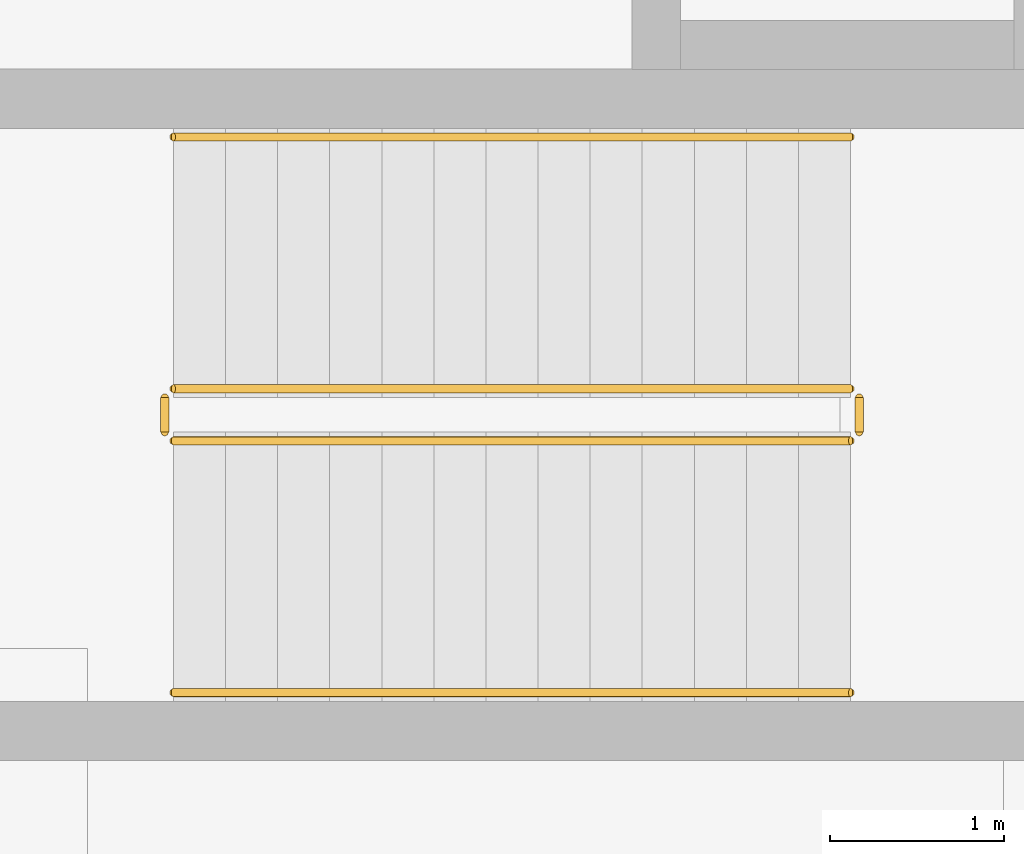
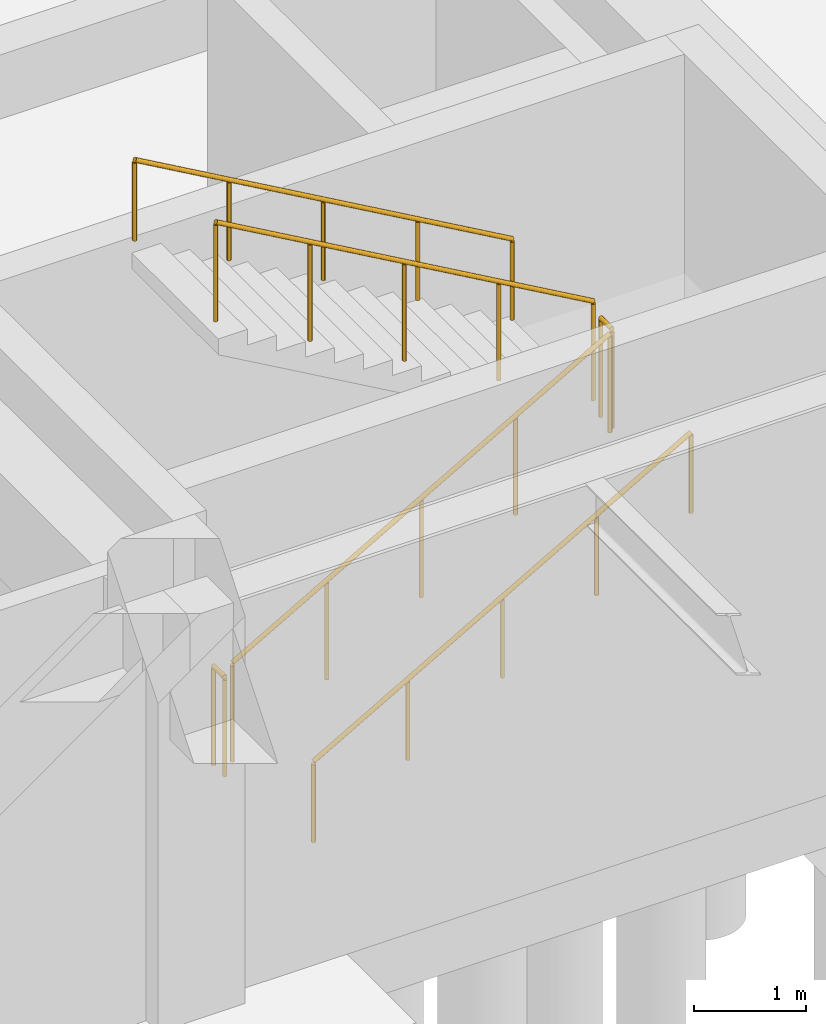
# One storey, part 40 of 44: 6 railings.
"""IFC4 building model written with IfcOpenShell, lengths in metres."""

import ifcopenshell
import ifcopenshell.guid

model = None  # the IFC model being written
_history = None  # IfcOwnerHistory: only IFC2X3 demands one
_inside = {}  # id of a spatial element -> (the spatial element, [elements in it])
_under = {}  # id of a project, library or spatial element -> (it, [spatial elements below it])
_declared = {}  # id of a project -> (the project, [libraries it declares])
_typed = {}  # id of a type object -> (the type object, [elements of that type])
_made_of = {}  # id of a material, layer set ... -> (it, [elements and type objects made of it])


def new_model(schema):
    """Start an empty IFC model of exactly this schema.

    Asked for "IFC4X3", IfcOpenShell would pick the latest addendum, in which some entities
    have other attributes; the version numbers below select the first issue.
    IFC2X3 requires an IfcOwnerHistory on every rooted entity: one is made here for all.
    """
    global model, _history
    if schema == "IFC4X3":
        model = ifcopenshell.file(schema_version=(4, 3, 0, 0))
    else:
        model = ifcopenshell.file(schema=schema)
    _inside.clear()
    _under.clear()
    _declared.clear()
    _typed.clear()
    _made_of.clear()
    _history = None
    if model.schema == "IFC2X3":
        org = make("IfcOrganization", Name="unknown")
        user = make(
            "IfcPersonAndOrganization",
            ThePerson=make("IfcPerson", FamilyName="unknown"),
            TheOrganization=org,
        )
        app = make(
            "IfcApplication",
            ApplicationDeveloper=org,
            Version="unknown",
            ApplicationFullName="unknown",
            ApplicationIdentifier="unknown",
        )
        _history = make(
            "IfcOwnerHistory",
            OwningUser=user,
            OwningApplication=app,
            ChangeAction="ADDED",
            CreationDate=0,
        )
    return model


def make(cls, **values):
    """One entity of the class cls with the attributes given. An attribute that is None is left unset."""
    return model.create_entity(
        cls, **{name: value for name, value in values.items() if value is not None}
    )


def rooted(cls, **values):
    """An entity with a GlobalId (a new one), such as an element, a storey or a relation."""
    return make(cls, GlobalId=ifcopenshell.guid.new(), OwnerHistory=_history, **values)


def si_unit(unit_type, name, prefix=None):
    """IfcSIUnit, for example si_unit("LENGTHUNIT", "METRE", prefix="MILLI")."""
    return make("IfcSIUnit", UnitType=unit_type, Prefix=prefix, Name=name)


def assignment(units):
    """IfcUnitAssignment: the units of a project."""
    return None if units is None else make("IfcUnitAssignment", Units=units)


def point(xyz):
    """IfcCartesianPoint."""
    return None if xyz is None else make("IfcCartesianPoint", Coordinates=xyz)


def direction(xyz):
    """IfcDirection."""
    return None if xyz is None else make("IfcDirection", DirectionRatios=xyz)


def frame(location, z_axis=None, x_axis=None):
    """IfcAxis2Placement3D, a coordinate frame: its origin and axes. An axis left out is left unset."""
    return make(
        "IfcAxis2Placement3D",
        Location=point(location),
        Axis=direction(z_axis),
        RefDirection=direction(x_axis),
    )


def frame_2d(location, x_axis=None):
    """IfcAxis2Placement2D, a coordinate frame in the plane: its origin and x axis."""
    return make(
        "IfcAxis2Placement2D", Location=point(location), RefDirection=direction(x_axis)
    )


def origin():
    """The frame at (0, 0, 0) with its axes left unset."""
    return frame((0.0, 0.0, 0.0))


def origin_2d():
    """The frame at (0, 0) in the plane with its x axis left unset."""
    return frame_2d((0.0, 0.0))


def place(relative_to, where):
    """IfcLocalPlacement: puts the frame where relative to a parent placement (None: the world)."""
    return make(
        "IfcLocalPlacement", PlacementRelTo=relative_to, RelativePlacement=where
    )


def context(
    kind, dimensions, precision=None, world=None, true_north=None, identifier=None
):
    """IfcGeometricRepresentationContext, for example the 3D "Model" context."""
    return make(
        "IfcGeometricRepresentationContext",
        ContextIdentifier=identifier,
        ContextType=kind,
        CoordinateSpaceDimension=dimensions,
        Precision=precision,
        WorldCoordinateSystem=world,
        TrueNorth=true_north,
    )


def subcontext(parent, identifier, kind, view, scale=None):
    """IfcGeometricRepresentationSubContext, for example "Body" below "Model"."""
    return make(
        "IfcGeometricRepresentationSubContext",
        ContextIdentifier=identifier,
        ContextType=kind,
        ParentContext=parent,
        TargetScale=scale,
        TargetView=view,
    )


def project(units=None, contexts=None):
    """IfcProject with its units and contexts."""
    return rooted(
        "IfcProject",
        Name="project",
        RepresentationContexts=contexts,
        UnitsInContext=assignment(units),
    )


def spatial(cls, under=None, at=None, **own):
    """A site, building, storey or space (cls), placed at a placement, below another one or the project."""
    s = rooted(cls, ObjectPlacement=at, **own)
    if under is not None:
        _under.setdefault(under.id(), (under, []))[1].append(s)
    return s


def profile(cls, at=None, kind="AREA", **sizes):
    """A parametric profile (cls). Its sizes go by their IFC names, for example OverallWidth=200.0."""
    return make(cls, ProfileType=kind, Position=at, **sizes)


def circle(**sizes):
    """IfcCircleProfileDef."""
    return profile("IfcCircleProfileDef", **sizes)


def extrude(swept, where, along, depth):
    """IfcExtrudedAreaSolid: the profile swept, set in the frame where, extruded along a direction by depth."""
    return make(
        "IfcExtrudedAreaSolid",
        SweptArea=swept,
        Position=where,
        ExtrudedDirection=direction(along),
        Depth=depth,
    )


def shape(context_of_items, identifier, shape_type, items):
    """IfcShapeRepresentation: the items that make up one representation, for example the "Body"."""
    return make(
        "IfcShapeRepresentation",
        ContextOfItems=context_of_items,
        RepresentationIdentifier=identifier,
        RepresentationType=shape_type,
        Items=items,
    )


def material(Name=None, Category=None):
    """IfcMaterial."""
    return make("IfcMaterial", Name=Name, Category=Category)


def made_of(thing, what):
    """Note that an element or type object is made of a material, layer set ...; save() writes the relation."""
    if what is not None:
        _made_of.setdefault(what.id(), (what, []))[1].append(thing)
    return thing


def type_object(cls, material=None, **own):
    """A type object (cls), such as IfcWallType, which elements share."""
    return made_of(rooted(cls, **own), material)


def element(
    cls,
    number,
    at=None,
    inside=None,
    cuts=None,
    type_object=None,
    material=None,
    context=None,
    identifier="Body",
    shape_type=None,
    held_by="IfcProductDefinitionShape",
    body=None,
    shapes=None,
    **own,
):
    """One element of the class cls, such as IfcWall. Its Tag is "e" and its number.

    at: its placement. inside: the storey or other place that contains it. cuts: it is an
    opening in that element (IfcRelVoidsElement). A single representation is given by context,
    identifier, shape_type and body (its items); several are given by shapes. held_by: the class
    of the entity that holds the representations. save() writes the other relations.
    """
    e = rooted(cls, Tag="e%d" % number, ObjectPlacement=at, **own)
    if body is not None:
        shapes = [shape(context, identifier, shape_type, body)]
    if shapes is not None:
        e.Representation = make(held_by, Representations=shapes)
    if inside is not None:
        _inside.setdefault(inside.id(), (inside, []))[1].append(e)
    if cuts is not None:
        rooted(
            "IfcRelVoidsElement", RelatingBuildingElement=cuts, RelatedOpeningElement=e
        )
    if type_object is not None:
        _typed.setdefault(type_object.id(), (type_object, []))[1].append(e)
    return made_of(e, material)


def aggregate(whole, parts):
    """IfcRelAggregates: a whole, such as a stair, and the parts it consists of."""
    return rooted("IfcRelAggregates", RelatingObject=whole, RelatedObjects=parts)


def save(model, path):
    """Write the relations noted so far, then the file.

    IfcRelAggregates (storeys below a building ...), IfcRelContainedInSpatialStructure (elements
    in a storey), IfcRelDefinesByType, IfcRelAssociatesMaterial and IfcRelDeclares: one each for
    every whole, place, type object, material and project.
    """
    for whole, parts in _under.values():
        aggregate(whole, parts)
    for where, things in _inside.values():
        rooted(
            "IfcRelContainedInSpatialStructure",
            RelatedElements=things,
            RelatingStructure=where,
        )
    for kind, things in _typed.values():
        rooted("IfcRelDefinesByType", RelatedObjects=things, RelatingType=kind)
    for what, things in _made_of.values():
        rooted("IfcRelAssociatesMaterial", RelatedObjects=things, RelatingMaterial=what)
    for by, libraries in _declared.values():
        rooted("IfcRelDeclares", RelatingContext=by, RelatedDefinitions=libraries)
    model.write(path)


model = new_model("IFC4")

# Units and contexts
model_context = context("Model", 3, precision=1e-05, world=origin(), true_north=direction((0.0, 1.0)))
body_context = subcontext(model_context, "Body", "Model", "MODEL_VIEW")
ifc_project = project(units=[si_unit("LENGTHUNIT", "METRE"), si_unit("AREAUNIT", "SQUARE_METRE"), si_unit("VOLUMEUNIT", "CUBIC_METRE"), si_unit("PLANEANGLEUNIT", "RADIAN"), si_unit("MASSUNIT", "GRAM", prefix="KILO")], contexts=[model_context])

# Site, building, storey
site_placement = place(None, origin())
site = spatial("IfcSite", under=ifc_project, at=site_placement, CompositionType="ELEMENT")
building_placement = place(site_placement, origin())
building = spatial("IfcBuilding", under=site, at=building_placement, Name="Korsvaeld Concert Hall", CompositionType="ELEMENT")
storey_placement = place(building_placement, frame((0.0, 0.0, -4.800048828125)))
storey = spatial("IfcBuildingStorey", under=building, at=storey_placement, Name="B1", CompositionType="ELEMENT", Elevation=-4.800048828125)

# Railings
ifc_material_1 = material(Name="Powder-coated steel and bronze stair guardrail", Category="steel")
railing_type_1 = type_object("IfcRailingType", Name="RL-STAIR-GUARD-120", PredefinedType="GUARDRAIL", material=ifc_material_1)
railing_1_placement = place(storey_placement, frame((111.320068359375, 45.8701171875, 0.17138671875)))
element("IfcRailing", 1, at=railing_1_placement, inside=storey, type_object=railing_type_1, Name="B1 ST-K4 stair guard 1", PredefinedType="GUARDRAIL", context=body_context, shape_type="SweptSolid", body=[
    extrude(circle(Radius=0.02392578125, at=origin_2d()), frame((0.0, 0.0, 1.076171875), z_axis=(0.868219727965, 0.0, 0.496179910892), x_axis=(0.0, 1.0, 0.0)), (0.0, 0.0, 1.0), 4.491943359375),
    extrude(circle(Radius=0.02099609375, at=origin_2d()), origin(), (0.0, 0.0, 1.0), 1.052001953125),
    extrude(circle(Radius=0.02099609375, at=origin_2d()), frame((0.97509765625, 0.0, 0.55712890625)), (0.0, 0.0, 1.0), 1.052001953125),
    extrude(circle(Radius=0.02099609375, at=origin_2d()), frame((1.949951171875, 0.0, 1.1142578125)), (0.0, 0.0, 1.0), 1.052001953125),
    extrude(circle(Radius=0.02099609375, at=origin_2d()), frame((2.9248046875, 0.0, 1.671630859375)), (0.0, 0.0, 1.0), 1.052001953125),
    extrude(circle(Radius=0.02099609375, at=origin_2d()), frame((3.89990234375, 0.0, 2.228759765625)), (0.0, 0.0, 1.0), 1.052001953125),
])
railing_2_placement = place(storey_placement, frame((115.27001953125, 45.919921875, 2.400146484375)))
element("IfcRailing", 2, at=railing_2_placement, inside=storey, type_object=railing_type_1, Name="B1 ST-K4 stair guard 2", PredefinedType="GUARDRAIL", context=body_context, shape_type="SweptSolid", body=[
    extrude(circle(Radius=0.02392578125, at=origin_2d()), frame((0.0, 0.0, 1.076171875), z_axis=(0.0, 1.0, 0.0), x_axis=(-1.0, 0.0, 0.0)), (0.0, 0.0, 1.0), 0.2001953125),
    extrude(circle(Radius=0.02099609375, at=origin_2d()), origin(), (0.0, 0.0, 1.0), 1.052001953125),
    extrude(circle(Radius=0.02099609375, at=origin_2d()), frame((0.0, 0.2001953125, 0.0)), (0.0, 0.0, 1.0), 1.052001953125),
])
railing_3_placement = place(storey_placement, frame((115.219970703125, 46.169921875, 2.571533203125)))
element("IfcRailing", 3, at=railing_3_placement, inside=storey, type_object=railing_type_1, Name="B1 ST-K4 stair guard 3", PredefinedType="GUARDRAIL", context=body_context, shape_type="SweptSolid", body=[
    extrude(circle(Radius=0.02392578125, at=origin_2d()), frame((0.0, 0.0, 1.076171875), z_axis=(-0.868243142124, 0.0, 0.496138938357), x_axis=(0.0, -1.0, 0.0)), (0.0, 0.0, 1.0), 4.49169921875),
    extrude(circle(Radius=0.02099609375, at=origin_2d()), origin(), (0.0, 0.0, 1.0), 1.052001953125),
    extrude(circle(Radius=0.02099609375, at=origin_2d()), frame((-0.97509765625, 0.0, 0.55712890625)), (0.0, 0.0, 1.0), 1.052001953125),
    extrude(circle(Radius=0.02099609375, at=origin_2d()), frame((-1.949951171875, 0.0, 1.1142578125)), (0.0, 0.0, 1.0), 1.052001953125),
    extrude(circle(Radius=0.02099609375, at=origin_2d()), frame((-2.9248046875, 0.0, 1.67138671875)), (0.0, 0.0, 1.0), 1.052001953125),
    extrude(circle(Radius=0.02099609375, at=origin_2d()), frame((-3.89990234375, 0.0, 2.228515625)), (0.0, 0.0, 1.0), 1.052001953125),
])
railing_4_placement = place(storey_placement, frame((111.27001953125, 45.919921875, 0.0)))
element("IfcRailing", 4, at=railing_4_placement, inside=storey, type_object=railing_type_1, Name="B1 ST-K4 stair guard 4", PredefinedType="GUARDRAIL", context=body_context, shape_type="SweptSolid", body=[
    extrude(circle(Radius=0.02392578125, at=origin_2d()), frame((0.0, 0.0, 1.076171875), z_axis=(0.0, 1.0, 0.0), x_axis=(-1.0, 0.0, 0.0)), (0.0, 0.0, 1.0), 0.2001953125),
    extrude(circle(Radius=0.02099609375, at=origin_2d()), origin(), (0.0, 0.0, 1.0), 1.052001953125),
    extrude(circle(Radius=0.02099609375, at=origin_2d()), frame((0.0, 0.2001953125, 0.0)), (0.0, 0.0, 1.0), 1.052001953125),
])
ifc_material_2 = material(Name="European oak and bronze stair handrail")
railing_type_2 = type_object("IfcRailingType", Name="RL-STAIR-HAND-90", PredefinedType="HANDRAIL", material=ifc_material_2)
railing_5_placement = place(storey_placement, frame((111.320068359375, 44.419921875, 0.17138671875)))
element("IfcRailing", 5, at=railing_5_placement, inside=storey, type_object=railing_type_2, Name="B1 ST-K4 stair handrail 1", PredefinedType="HANDRAIL", context=body_context, shape_type="SweptSolid", body=[
    extrude(circle(Radius=0.02392578125, at=origin_2d()), frame((0.0, 0.0, 0.8759765625), z_axis=(0.868219727965, 0.0, 0.496179910892), x_axis=(0.0, 1.0, 0.0)), (0.0, 0.0, 1.0), 4.491943359375),
    extrude(circle(Radius=0.02099609375, at=origin_2d()), origin(), (0.0, 0.0, 1.0), 0.851806640625),
    extrude(circle(Radius=0.02099609375, at=origin_2d()), frame((0.97509765625, 0.0, 0.55712890625)), (0.0, 0.0, 1.0), 0.851806640625),
    extrude(circle(Radius=0.02099609375, at=origin_2d()), frame((1.949951171875, 0.0, 1.1142578125)), (0.0, 0.0, 1.0), 0.851806640625),
    extrude(circle(Radius=0.02099609375, at=origin_2d()), frame((2.9248046875, 0.0, 1.671630859375)), (0.0, 0.0, 1.0), 0.851806640625),
    extrude(circle(Radius=0.02099609375, at=origin_2d()), frame((3.89990234375, 0.0, 2.228759765625)), (0.0, 0.0, 1.0), 0.851806640625),
])
railing_6_placement = place(storey_placement, frame((115.219970703125, 47.6201171875, 2.571533203125)))
element("IfcRailing", 6, at=railing_6_placement, inside=storey, type_object=railing_type_2, Name="B1 ST-K4 stair handrail 2", PredefinedType="HANDRAIL", context=body_context, shape_type="SweptSolid", body=[
    extrude(circle(Radius=0.02392578125, at=origin_2d()), frame((0.0, 0.0, 0.8759765625), z_axis=(-0.868243142124, 0.0, 0.496138938357), x_axis=(0.0, -1.0, 0.0)), (0.0, 0.0, 1.0), 4.49169921875),
    extrude(circle(Radius=0.02099609375, at=origin_2d()), origin(), (0.0, 0.0, 1.0), 0.851806640625),
    extrude(circle(Radius=0.02099609375, at=origin_2d()), frame((-0.97509765625, 0.0, 0.55712890625)), (0.0, 0.0, 1.0), 0.851806640625),
    extrude(circle(Radius=0.02099609375, at=origin_2d()), frame((-1.949951171875, 0.0, 1.1142578125)), (0.0, 0.0, 1.0), 0.851806640625),
    extrude(circle(Radius=0.02099609375, at=origin_2d()), frame((-2.9248046875, 0.0, 1.67138671875)), (0.0, 0.0, 1.0), 0.851806640625),
    extrude(circle(Radius=0.02099609375, at=origin_2d()), frame((-3.89990234375, 0.0, 2.228515625)), (0.0, 0.0, 1.0), 0.851806640625),
])

save(model, "model.ifc")
